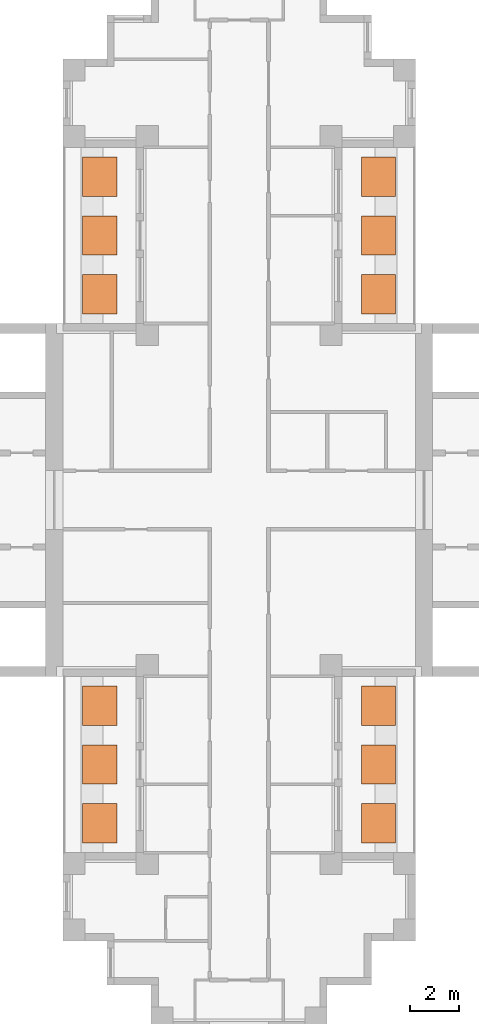
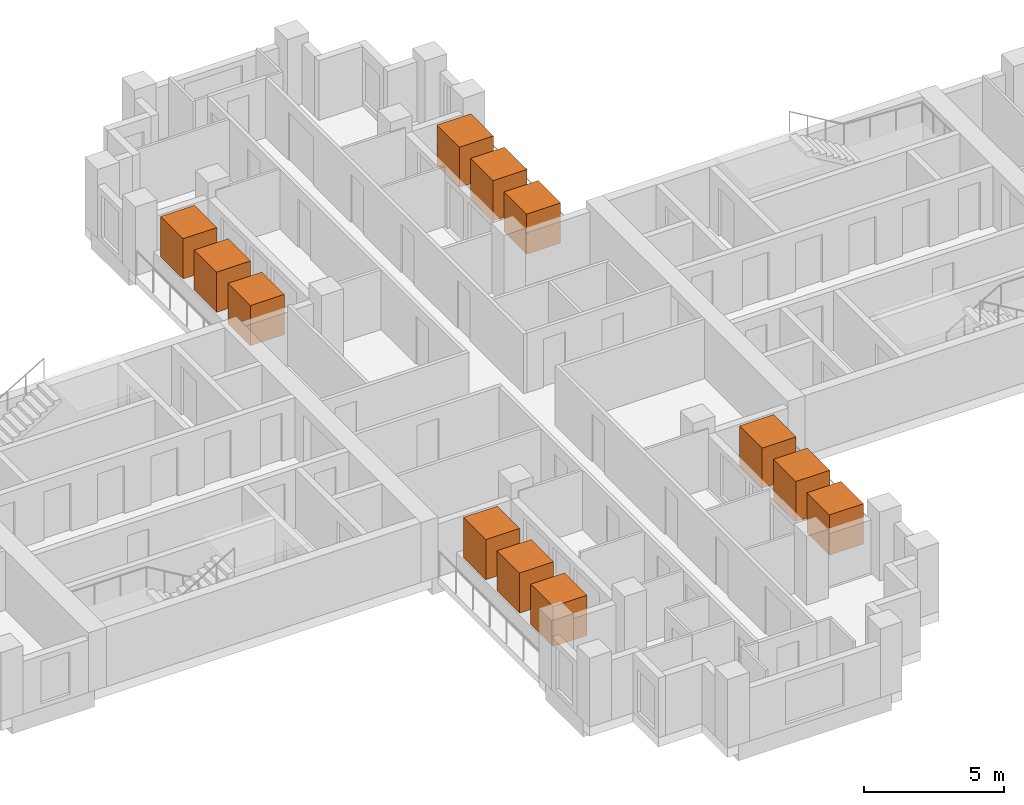
# One storey, part 9 of 9: 12 geographic elements.
"""IFC4 building model written with IfcOpenShell, lengths in metres."""

from ifc_helpers import new_model, si_unit, direction, frame, origin, origin_2d, place, context, subcontext, project, spatial, rectangle, extrude, material, element, save


model = new_model("IFC4")

# Units and contexts
model_context = context("Model", 3, precision=1e-05, world=origin(), true_north=direction((0.0, 1.0)))
body_context = subcontext(model_context, "Body", "Model", "MODEL_VIEW")
ifc_project = project(units=[si_unit("LENGTHUNIT", "METRE"), si_unit("AREAUNIT", "SQUARE_METRE"), si_unit("VOLUMEUNIT", "CUBIC_METRE"), si_unit("PLANEANGLEUNIT", "RADIAN"), si_unit("MASSUNIT", "GRAM", prefix="KILO")], contexts=[model_context])

# Site, building, storey
site_placement = place(None, origin())
site = spatial("IfcSite", under=ifc_project, at=site_placement, CompositionType="ELEMENT")
building_placement = place(site_placement, origin())
building = spatial("IfcBuilding", under=site, at=building_placement, Name="Fustian Cross Tower", CompositionType="ELEMENT")
storey_placement = place(building_placement, frame((0.0, 0.0, 216.89990234375)))
storey = spatial("IfcBuildingStorey", under=building, at=storey_placement, Name="L68", CompositionType="ELEMENT", Elevation=216.89990234375)

# Geographic elements
ifc_material = material(Name="Evergreen foliage")
for number, where, z_axis, x_axis, name in (
    (1, (5.68994140625, 8.39990234375, 0.800048828125), (0.0, 0.0, 1.0), (1.0, 0.0, 0.0), "TREE field maple"),
    (2, (5.68994140625, 10.800048828125, 0.800048828125), (0.0, 0.0, 1.0), (1.0, 0.0, 0.0), "TREE field maple"),
    (3, (5.68994140625, 13.199951171875, 0.800048828125), (0.0, 0.0, 1.0), (1.0, 0.0, 0.0), "TREE field maple"),
    (4, (-5.68994140625, 8.39990234375, 0.800048828125), (0.0, 0.0, 1.0), (1.0, 0.0, 0.0), "TREE field maple"),
    (5, (-5.68994140625, 10.800048828125, 0.800048828125), (0.0, 0.0, 1.0), (1.0, 0.0, 0.0), "TREE field maple"),
    (6, (-5.68994140625, 13.199951171875, 0.800048828125), (0.0, 0.0, 1.0), (1.0, 0.0, 0.0), "TREE field maple"),
    (7, (5.68994140625, -13.199951171875, 0.800048828125), (0.0, 0.0, 1.0), (1.0, 0.0, 0.0), "TREE field maple"),
    (8, (5.68994140625, -10.800048828125, 0.800048828125), (0.0, 0.0, 1.0), (1.0, 0.0, 0.0), "TREE field maple"),
    (9, (5.68994140625, -8.39990234375, 0.800048828125), (0.0, 0.0, 1.0), (1.0, 0.0, 0.0), "TREE field maple"),
    (10, (-5.68994140625, -13.199951171875, 0.800048828125), (0.0, 0.0, 1.0), (1.0, 0.0, 0.0), "TREE field maple"),
    (11, (-5.68994140625, -10.800048828125, 0.800048828125), (0.0, 0.0, 1.0), (1.0, 0.0, 0.0), "TREE field maple"),
    (12, (-5.68994140625, -8.39990234375, 0.800048828125), (0.0, 0.0, 1.0), (1.0, 0.0, 0.0), "TREE field maple"),
):
    element("IfcGeographicElement", number, at=place(storey_placement, frame(where, z_axis=z_axis, x_axis=x_axis)), inside=storey, material=ifc_material, Name=name, ObjectType="VEGETATION", PredefinedType="USERDEFINED", context=body_context, shape_type="SweptSolid", body=[
        extrude(rectangle(XDim=1.39990234375, YDim=1.60009765625, at=origin_2d()), origin(), (0.0, 0.0, 1.0), 1.75),
    ])

save(model, "model.ifc")
